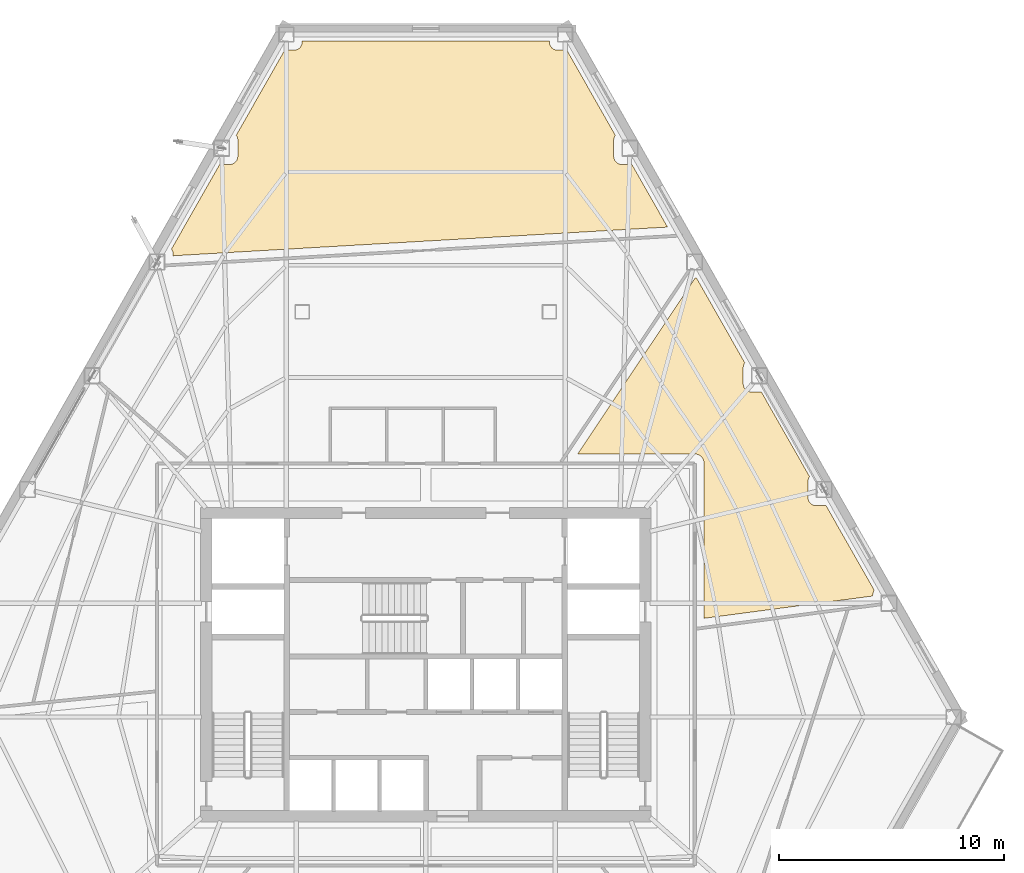
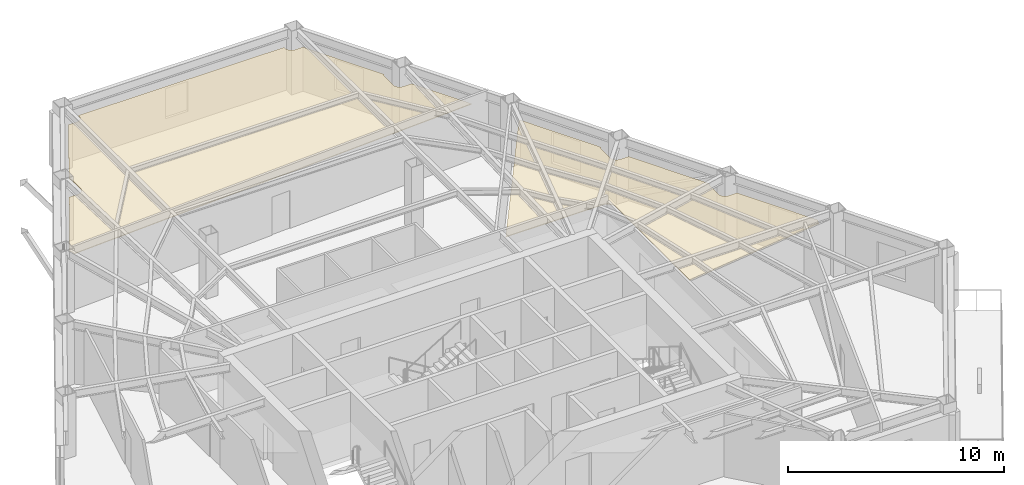
# One storey, part 12 of 12: 2 coverings.
"""IFC4 building model written with IfcOpenShell, lengths in metres."""

from ifc_helpers import new_model, si_unit, direction, frame, origin, place, context, subcontext, project, spatial, polyline, outline, extrude, material, layer, layer_set, type_object, element, save


model = new_model("IFC4")

# Units and contexts
model_context = context("Model", 3, precision=1e-05, world=origin(), true_north=direction((0.0, 1.0)))
body_context = subcontext(model_context, "Body", "Model", "MODEL_VIEW")
ifc_project = project(units=[si_unit("LENGTHUNIT", "METRE"), si_unit("AREAUNIT", "SQUARE_METRE"), si_unit("VOLUMEUNIT", "CUBIC_METRE"), si_unit("PLANEANGLEUNIT", "RADIAN"), si_unit("MASSUNIT", "GRAM", prefix="KILO")], contexts=[model_context])

# Site, building, storey
site_placement = place(None, origin())
site = spatial("IfcSite", under=ifc_project, at=site_placement, CompositionType="ELEMENT")
building_placement = place(site_placement, origin())
building = spatial("IfcBuilding", under=site, at=building_placement, Name="Kavelnor Concourse Tower", CompositionType="ELEMENT")
storey_placement = place(building_placement, frame((0.0, 0.0, 93.199951171875)))
storey = spatial("IfcBuildingStorey", under=building, at=storey_placement, Name="L23", CompositionType="ELEMENT", Elevation=93.199951171875)

# Coverings
ifc_material = material(Name="Mineral fibre acoustic ceiling tile")
ifc_layer = layer(ifc_material, 0.0400390625, Name="Mineral fibre acoustic ceiling tile")
ifc_layer_set = layer_set([ifc_layer], Name="Mineral fibre acoustic ceiling tile")
covering_type = type_object("IfcCoveringType", Name="COV-CEILING-ACOUSTIC", PredefinedType="CEILING", material=ifc_layer_set)
covering_1_placement = place(storey_placement, frame((0.0, 0.0, 2.75)))
element("IfcCovering", 1, at=covering_1_placement, inside=storey, type_object=covering_type, Name="L23 Suspended Acoustic Ceiling", PredefinedType="CEILING", context=body_context, shape_type="SweptSolid", body=[
    extrude(outline(polyline([(50.390869140625, 25.091552734375), (50.384765625, 25.132568359375), (50.374755859375, 25.1728515625), (50.360595703125, 25.2119140625), (50.343017578125, 25.24951171875), (50.321533203125, 25.284912109375), (50.296875, 25.318359375), (50.26904296875, 25.34912109375), (50.23828125, 25.376953125), (50.205078125, 25.401611328125), (50.16943359375, 25.423095703125), (50.1318359375, 25.440673828125), (50.0927734375, 25.45458984375), (50.052490234375, 25.46484375), (50.011474609375, 25.470947265625), (49.978271484375, 25.472412109375), (44.759521484375, 25.472412109375), (49.98828125, 33.30078125), (50.057861328125, 33.30078125), (52.203369140625, 29.53076171875), (52.19287109375, 29.5166015625), (52.174560546875, 29.486083984375), (52.159423828125, 29.4541015625), (52.147705078125, 29.4208984375), (52.138916015625, 29.38671875), (52.1337890625, 29.3515625), (52.132568359375, 29.32470703125), (52.132568359375, 28.587890625), (52.1337890625, 28.56103515625), (52.138916015625, 28.52587890625), (52.147705078125, 28.49169921875), (52.159423828125, 28.45849609375), (52.174560546875, 28.426513671875), (52.19287109375, 28.39599609375), (52.2138671875, 28.36767578125), (52.23779296875, 28.341552734375), (52.263916015625, 28.317626953125), (52.292236328125, 28.296630859375), (52.322509765625, 28.2783203125), (52.3544921875, 28.26318359375), (52.387939453125, 28.25146484375), (52.422119140625, 28.242919921875), (52.457275390625, 28.237548828125), (52.484130859375, 28.236328125), (52.940185546875, 28.236328125), (55.085693359375, 24.46630859375), (55.0751953125, 24.4521484375), (55.056884765625, 24.421875), (55.0419921875, 24.389892578125), (55.030029296875, 24.3564453125), (55.021484375, 24.322265625), (55.01611328125, 24.287109375), (55.014892578125, 24.26025390625), (55.014892578125, 23.523681640625), (55.01611328125, 23.49658203125), (55.021484375, 23.461669921875), (55.030029296875, 23.42724609375), (55.0419921875, 23.39404296875), (55.056884765625, 23.362060546875), (55.0751953125, 23.331787109375), (55.09619140625, 23.30322265625), (55.1201171875, 23.277099609375), (55.146240234375, 23.25341796875), (55.1748046875, 23.232177734375), (55.205078125, 23.214111328125), (55.237060546875, 23.198974609375), (55.270263671875, 23.18701171875), (55.3046875, 23.178466796875), (55.339599609375, 23.173095703125), (55.36669921875, 23.171875), (55.822509765625, 23.171875), (57.96826171875, 19.402099609375), (57.95751953125, 19.3876953125), (57.939453125, 19.357421875), (57.92431640625, 19.325439453125), (57.912353515625, 19.2919921875), (57.90380859375, 19.2578125), (57.898681640625, 19.222900390625), (57.897216796875, 19.19580078125), (57.897216796875, 19.15087890625), (50.392578125, 18.157958984375), (50.392578125, 25.058349609375), (50.390869140625, 25.091552734375)])), origin(), (0.0, 0.0, 1.0), 0.0400390625),
])
covering_2_placement = place(storey_placement, frame((0.0, 0.0, 2.75)))
element("IfcCovering", 2, at=covering_2_placement, inside=storey, type_object=covering_type, Name="L23 Suspended Acoustic Ceiling", PredefinedType="CEILING", context=body_context, shape_type="SweptSolid", body=[
    extrude(outline(polyline([(28.82470703125, 38.364990234375), (29.280517578125, 38.364990234375), (29.3076171875, 38.366455078125), (29.342529296875, 38.37158203125), (29.376708984375, 38.380126953125), (29.41015625, 38.39208984375), (29.442138671875, 38.4072265625), (29.472412109375, 38.42529296875), (29.500732421875, 38.446533203125), (29.527099609375, 38.47021484375), (29.55078125, 38.49658203125), (29.572021484375, 38.52490234375), (29.590087890625, 38.55517578125), (29.605224609375, 38.587158203125), (29.6171875, 38.62060546875), (29.625732421875, 38.65478515625), (29.630859375, 38.689697265625), (29.632080078125, 38.716796875), (29.632080078125, 39.453369140625), (29.630859375, 39.48046875), (29.625732421875, 39.515380859375), (29.6171875, 39.5498046875), (29.605224609375, 39.5830078125), (29.590087890625, 39.614990234375), (29.572021484375, 39.645263671875), (29.561279296875, 39.659423828125), (31.718505859375, 43.449462890625), (32.142822265625, 43.449462890625), (32.169921875, 43.45068359375), (32.204833984375, 43.4560546875), (32.2392578125, 43.464599609375), (32.2724609375, 43.4765625), (32.304443359375, 43.49169921875), (32.334716796875, 43.509765625), (32.36328125, 43.531005859375), (32.389404296875, 43.5546875), (32.4130859375, 43.580810546875), (32.434326171875, 43.609375), (32.452392578125, 43.6396484375), (32.467529296875, 43.671630859375), (32.4794921875, 43.704833984375), (32.488037109375, 43.7392578125), (32.493408203125, 43.774169921875), (32.49462890625, 43.80126953125), (32.49462890625, 43.869384765625), (43.50537109375, 43.869384765625), (43.50537109375, 43.80126953125), (43.506591796875, 43.774169921875), (43.511962890625, 43.7392578125), (43.5205078125, 43.704833984375), (43.532470703125, 43.671630859375), (43.547607421875, 43.6396484375), (43.565673828125, 43.609375), (43.5869140625, 43.580810546875), (43.610595703125, 43.5546875), (43.63671875, 43.531005859375), (43.665283203125, 43.509765625), (43.695556640625, 43.49169921875), (43.7275390625, 43.4765625), (43.7607421875, 43.464599609375), (43.795166015625, 43.4560546875), (43.830078125, 43.45068359375), (43.857177734375, 43.449462890625), (44.281494140625, 43.449462890625), (46.438720703125, 39.659423828125), (46.427978515625, 39.645263671875), (46.409912109375, 39.614990234375), (46.394775390625, 39.5830078125), (46.3828125, 39.5498046875), (46.374267578125, 39.515380859375), (46.369140625, 39.48046875), (46.367919921875, 39.453369140625), (46.367919921875, 38.716796875), (46.369140625, 38.689697265625), (46.374267578125, 38.65478515625), (46.3828125, 38.62060546875), (46.394775390625, 38.587158203125), (46.409912109375, 38.55517578125), (46.427978515625, 38.52490234375), (46.44921875, 38.49658203125), (46.472900390625, 38.47021484375), (46.499267578125, 38.446533203125), (46.527587890625, 38.42529296875), (46.557861328125, 38.4072265625), (46.58984375, 38.39208984375), (46.623291015625, 38.380126953125), (46.657470703125, 38.37158203125), (46.6923828125, 38.366455078125), (46.719482421875, 38.364990234375), (47.17529296875, 38.364990234375), (48.763916015625, 35.573974609375), (26.749755859375, 34.296630859375), (26.749755859375, 34.388916015625), (26.74853515625, 34.416015625), (26.743408203125, 34.450927734375), (26.734619140625, 34.4853515625), (26.722900390625, 34.5185546875), (26.707763671875, 34.550537109375), (26.689453125, 34.580810546875), (26.678955078125, 34.59521484375), (28.82470703125, 38.364990234375)])), origin(), (0.0, 0.0, 1.0), 0.0400390625),
])

save(model, "model.ifc")
